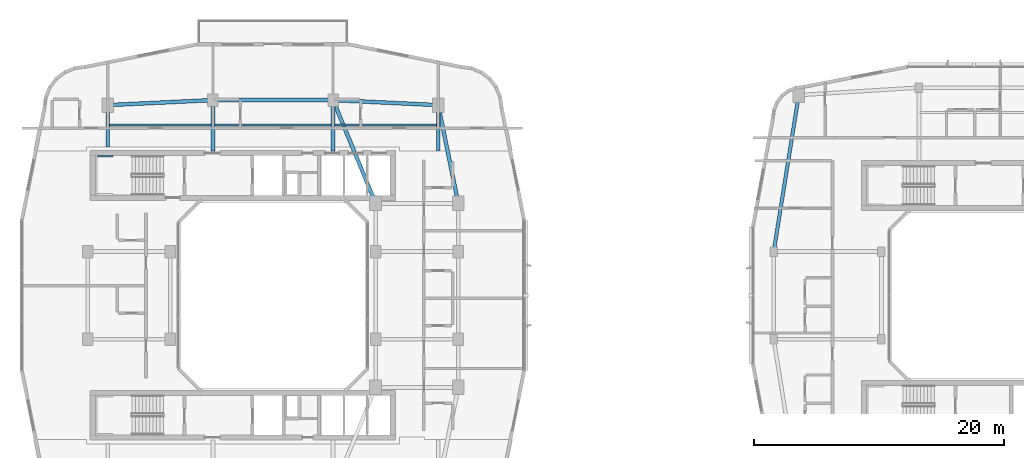
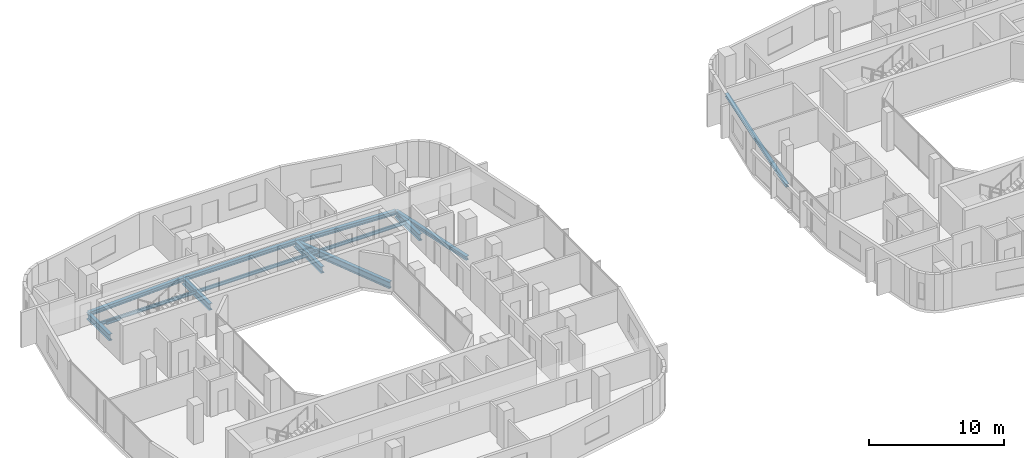
# One storey, part 6 of 26: 14 beams.
"""IFC4 building model written with IfcOpenShell, lengths in metres."""

from ifc_helpers import new_model, si_unit, derived_unit, direction, frame, origin, origin_2d, place, context, subcontext, project, spatial, i_section, extrude, material, material_profile, profile_set, type_object, element, save


model = new_model("IFC4")

# Units and contexts
model_context = context("Model", 3, precision=1e-05, world=origin(), true_north=direction((0.0, 1.0)))
body_context = subcontext(model_context, "Body", "Model", "MODEL_VIEW")
ifc_project = project(units=[si_unit("LENGTHUNIT", "METRE"), si_unit("AREAUNIT", "SQUARE_METRE"), si_unit("VOLUMEUNIT", "CUBIC_METRE"), si_unit("PLANEANGLEUNIT", "RADIAN"), si_unit("MASSUNIT", "GRAM", prefix="KILO"), derived_unit("THERMALTRANSMITTANCEUNIT", [(si_unit("POWERUNIT", "WATT"), 1), (si_unit("LENGTHUNIT", "METRE"), -2), (si_unit("THERMODYNAMICTEMPERATUREUNIT", "KELVIN"), -1)])], contexts=[model_context])

# Site, building, storey
site_placement = place(None, origin())
site = spatial("IfcSite", under=ifc_project, at=site_placement, CompositionType="ELEMENT")
building_placement = place(site_placement, origin())
building = spatial("IfcBuilding", under=site, at=building_placement, Name="Kivonza Crest Hotel", CompositionType="ELEMENT")
storey_placement = place(building_placement, frame((0.0, 0.0, 95.0)))
storey = spatial("IfcBuildingStorey", under=building, at=storey_placement, Name="L25", CompositionType="ELEMENT", Elevation=95.0)

# Beams
ifc_material = material(Name="Steel S355", Category="steel")
ifc_material_profile_1 = material_profile(ifc_material, i_section(OverallWidth=0.280029296875, OverallDepth=0.280029296875, WebThickness=0.010498046875, FlangeThickness=0.01806640625, FilletRadius=0.02392578125, at=origin_2d()), Name="HEB 280")
ifc_profile_set_1 = profile_set([ifc_material_profile_1], Name="Steel S355")
beam_type_1 = type_object("IfcBeamType", Name="BM-HEB280", PredefinedType="SPANDREL", material=ifc_profile_set_1)
beam_1_placement = place(storey_placement, frame((63.0, 41.0, -0.389892578125), z_axis=(-0.157990501107, -0.987440631917, 0.0), x_axis=(0.987440631917, -0.157990501107, 0.0)))
element("IfcBeam", 1, at=beam_1_placement, inside=storey, type_object=beam_type_1, Name="Companion Tower T2 L25 perimeter spandrel NW-W2", PredefinedType="SPANDREL", context=body_context, shape_type="SweptSolid", body=[
    extrude(i_section(OverallWidth=0.280029296875, OverallDepth=0.280029296875, WebThickness=0.010498046875, FlangeThickness=0.01806640625, FilletRadius=0.02392578125, at=origin_2d()), origin(), (0.0, 0.0, 1.0), 12.658935546875),
])
ifc_material_profile_2 = material_profile(ifc_material, i_section(OverallWidth=0.300048828125, OverallDepth=0.360107421875, WebThickness=0.012451171875, FlangeThickness=0.0224609375, FilletRadius=0.027099609375, at=origin_2d()), Name="HEB 360")
ifc_profile_set_2 = profile_set([ifc_material_profile_2], Name="Steel S355")
beam_type_2 = type_object("IfcBeamType", Name="BM-HEB360", PredefinedType="SPANDREL", material=ifc_profile_set_2)
beam_2_placement = place(storey_placement, frame((35.800048828125, 32.35009765625, -0.4599609375), z_axis=(-0.199730733965, 0.979850822273, 0.0), x_axis=(-0.979850822273, -0.199730733965, 0.0)))
element("IfcBeam", 2, at=beam_2_placement, inside=storey, type_object=beam_type_2, Name="Tower T1 L25 perimeter spandrel PNE-NE", PredefinedType="SPANDREL", context=body_context, shape_type="SweptSolid", body=[
    extrude(i_section(OverallWidth=0.300048828125, OverallDepth=0.360107421875, WebThickness=0.012451171875, FlangeThickness=0.0224609375, FilletRadius=0.027099609375, at=origin_2d()), origin(), (0.0, 0.0, 1.0), 8.01123046875),
])
beam_3_placement = place(storey_placement, frame((34.199951171875, 40.199951171875, -0.4599609375), z_axis=(-0.998867283688, 0.047583080799, 0.0), x_axis=(-0.047583080799, -0.998867283688, 0.0)))
element("IfcBeam", 3, at=beam_3_placement, inside=storey, type_object=beam_type_2, Name="Tower T1 L25 perimeter spandrel NE-N2", PredefinedType="SPANDREL", context=body_context, shape_type="SweptSolid", body=[
    extrude(i_section(OverallWidth=0.300048828125, OverallDepth=0.360107421875, WebThickness=0.012451171875, FlangeThickness=0.0224609375, FilletRadius=0.027099609375, at=origin_2d()), origin(), (0.0, 0.0, 1.0), 8.409423828125),
])
beam_4_placement = place(storey_placement, frame((25.800048828125, 40.60009765625, -0.4599609375), z_axis=(-1.0, 0.0, 0.0), x_axis=(0.0, -1.0, 0.0)))
element("IfcBeam", 4, at=beam_4_placement, inside=storey, type_object=beam_type_2, Name="Tower T1 L25 perimeter spandrel N2-N1", PredefinedType="SPANDREL", context=body_context, shape_type="SweptSolid", body=[
    extrude(i_section(OverallWidth=0.300048828125, OverallDepth=0.360107421875, WebThickness=0.012451171875, FlangeThickness=0.0224609375, FilletRadius=0.027099609375, at=origin_2d()), origin(), (0.0, 0.0, 1.0), 9.60009765625),
])
beam_5_placement = place(storey_placement, frame((16.199951171875, 40.60009765625, -0.4599609375), z_axis=(-0.998867283688, -0.047583080799, 0.0), x_axis=(0.047583080799, -0.998867283688, 0.0)))
element("IfcBeam", 5, at=beam_5_placement, inside=storey, type_object=beam_type_2, Name="Tower T1 L25 perimeter spandrel N1-NW", PredefinedType="SPANDREL", context=body_context, shape_type="SweptSolid", body=[
    extrude(i_section(OverallWidth=0.300048828125, OverallDepth=0.360107421875, WebThickness=0.012451171875, FlangeThickness=0.0224609375, FilletRadius=0.027099609375, at=origin_2d()), origin(), (0.0, 0.0, 1.0), 8.409423828125),
])
ifc_material_profile_3 = material_profile(ifc_material, i_section(OverallWidth=0.300048828125, OverallDepth=0.60009765625, WebThickness=0.015380859375, FlangeThickness=0.030029296875, FilletRadius=0.027099609375, at=origin_2d()), Name="HEB 600")
ifc_profile_set_3 = profile_set([ifc_material_profile_3], Name="Steel S355")
beam_type_3 = type_object("IfcBeamType", Name="BM-HEB600", PredefinedType="BEAM", material=ifc_profile_set_3)
beam_6_placement = place(storey_placement, frame((25.800048828125, 40.60009765625, -0.580078125), z_axis=(0.381022260404, -0.924565864109, 0.0), x_axis=(0.924565864109, 0.381022260404, 0.0)))
element("IfcBeam", 6, at=beam_6_placement, inside=storey, type_object=beam_type_3, Name="Tower T1 L25 primary girder N1-TNE", PredefinedType="BEAM", context=body_context, shape_type="SweptSolid", body=[
    extrude(i_section(OverallWidth=0.300048828125, OverallDepth=0.60009765625, WebThickness=0.015380859375, FlangeThickness=0.030029296875, FilletRadius=0.027099609375, at=origin_2d()), origin(), (0.0, 0.0, 1.0), 8.923095703125),
])
beam_7_placement = place(storey_placement, frame((7.800048828125, 40.199951171875, -0.580078125), z_axis=(0.0, -1.0, 0.0), x_axis=(1.0, 0.0, 0.0)))
element("IfcBeam", 7, at=beam_7_placement, inside=storey, type_object=beam_type_3, Name="Tower T1 L25 radial core girder RNW", PredefinedType="BEAM", context=body_context, shape_type="SweptSolid", body=[
    extrude(i_section(OverallWidth=0.300048828125, OverallDepth=0.60009765625, WebThickness=0.015380859375, FlangeThickness=0.030029296875, FilletRadius=0.027099609375, at=origin_2d()), origin(), (0.0, 0.0, 1.0), 3.349853515625),
])
for number, where, z_axis, x_axis, name in (
    (8, (16.199951171875, 40.60009765625, -0.580078125), (0.0, -1.0, 0.0), (1.0, 0.0, 0.0), "Tower T1 L25 radial core girder RN1"),
    (9, (25.800048828125, 40.60009765625, -0.580078125), (0.0, -1.0, 0.0), (1.0, 0.0, 0.0), "Tower T1 L25 radial core girder RN2"),
):
    element("IfcBeam", number, at=place(storey_placement, frame(where, z_axis=z_axis, x_axis=x_axis)), inside=storey, type_object=beam_type_3, Name=name, PredefinedType="BEAM", context=body_context, shape_type="SweptSolid", body=[
        extrude(i_section(OverallWidth=0.300048828125, OverallDepth=0.60009765625, WebThickness=0.015380859375, FlangeThickness=0.030029296875, FilletRadius=0.027099609375, at=origin_2d()), origin(), (0.0, 0.0, 1.0), 4.050048828125),
    ])
beam_8_placement = place(storey_placement, frame((34.199951171875, 40.199951171875, -0.580078125), z_axis=(0.0, -1.0, 0.0), x_axis=(1.0, 0.0, 0.0)))
element("IfcBeam", 10, at=beam_8_placement, inside=storey, type_object=beam_type_3, Name="Tower T1 L25 radial core girder RNE", PredefinedType="BEAM", context=body_context, shape_type="SweptSolid", body=[
    extrude(i_section(OverallWidth=0.300048828125, OverallDepth=0.60009765625, WebThickness=0.015380859375, FlangeThickness=0.030029296875, FilletRadius=0.027099609375, at=origin_2d()), origin(), (0.0, 0.0, 1.0), 3.64990234375),
])
ifc_material_profile_4 = material_profile(ifc_material, i_section(OverallWidth=0.14990234375, OverallDepth=0.300048828125, WebThickness=0.007080078125, FlangeThickness=0.0107421875, FilletRadius=0.014892578125, at=origin_2d()), Name="IPE 300")
ifc_profile_set_4 = profile_set([ifc_material_profile_4], Name="Steel S355")
beam_type_4 = type_object("IfcBeamType", Name="BM-IPE300", PredefinedType="JOIST", material=ifc_profile_set_4)
beam_9_placement = place(storey_placement, frame((7.8798828125, 38.60009765625, -0.429931640625), z_axis=(1.0, 0.0, 0.0), x_axis=(0.0, 1.0, 0.0)))
element("IfcBeam", 11, at=beam_9_placement, inside=storey, type_object=beam_type_4, Name="Tower T1 L25 North-West floor joist", PredefinedType="JOIST", context=body_context, shape_type="SweptSolid", body=[
    extrude(i_section(OverallWidth=0.14990234375, OverallDepth=0.300048828125, WebThickness=0.007080078125, FlangeThickness=0.0107421875, FilletRadius=0.014892578125, at=origin_2d()), origin(), (0.0, 0.0, 1.0), 8.240234375),
])
beam_10_placement = place(storey_placement, frame((16.280029296875, 38.60009765625, -0.429931640625), z_axis=(1.0, 0.0, 0.0), x_axis=(0.0, 1.0, 0.0)))
element("IfcBeam", 12, at=beam_10_placement, inside=storey, type_object=beam_type_4, Name="Tower T1 L25 North-Mid floor joist", PredefinedType="JOIST", context=body_context, shape_type="SweptSolid", body=[
    extrude(i_section(OverallWidth=0.14990234375, OverallDepth=0.300048828125, WebThickness=0.007080078125, FlangeThickness=0.0107421875, FilletRadius=0.014892578125, at=origin_2d()), origin(), (0.0, 0.0, 1.0), 9.43994140625),
])
beam_11_placement = place(storey_placement, frame((25.8798828125, 38.60009765625, -0.429931640625), z_axis=(1.0, 0.0, 0.0), x_axis=(0.0, 1.0, 0.0)))
element("IfcBeam", 13, at=beam_11_placement, inside=storey, type_object=beam_type_4, Name="Tower T1 L25 North-East floor joist", PredefinedType="JOIST", context=body_context, shape_type="SweptSolid", body=[
    extrude(i_section(OverallWidth=0.14990234375, OverallDepth=0.300048828125, WebThickness=0.007080078125, FlangeThickness=0.0107421875, FilletRadius=0.014892578125, at=origin_2d()), origin(), (0.0, 0.0, 1.0), 8.240234375),
])
ifc_material_profile_5 = material_profile(ifc_material, i_section(OverallWidth=0.1201171875, OverallDepth=0.239990234375, WebThickness=0.006103515625, FlangeThickness=0.009765625, FilletRadius=0.014892578125, at=origin_2d()), Name="IPE 240")
ifc_profile_set_5 = profile_set([ifc_material_profile_5], Name="Steel S355")
beam_type_5 = type_object("IfcBeamType", Name="BM-LLDG-240", PredefinedType="BEAM", material=ifc_profile_set_5)
beam_12_placement = place(storey_placement, frame((6.989990234375, 36.10009765625, 1.429931640625), z_axis=(1.0, 0.0, 0.0), x_axis=(0.0, 1.0, 0.0)))
element("IfcBeam", 14, at=beam_12_placement, inside=storey, type_object=beam_type_5, Name="Stair ST-T1-N L25 North landing corbel", PredefinedType="BEAM", context=body_context, shape_type="SweptSolid", body=[
    extrude(i_section(OverallWidth=0.1201171875, OverallDepth=0.239990234375, WebThickness=0.006103515625, FlangeThickness=0.009765625, FilletRadius=0.014892578125, at=origin_2d()), origin(), (0.0, 0.0, 1.0), 1.2099609375),
])

save(model, "model.ifc")
